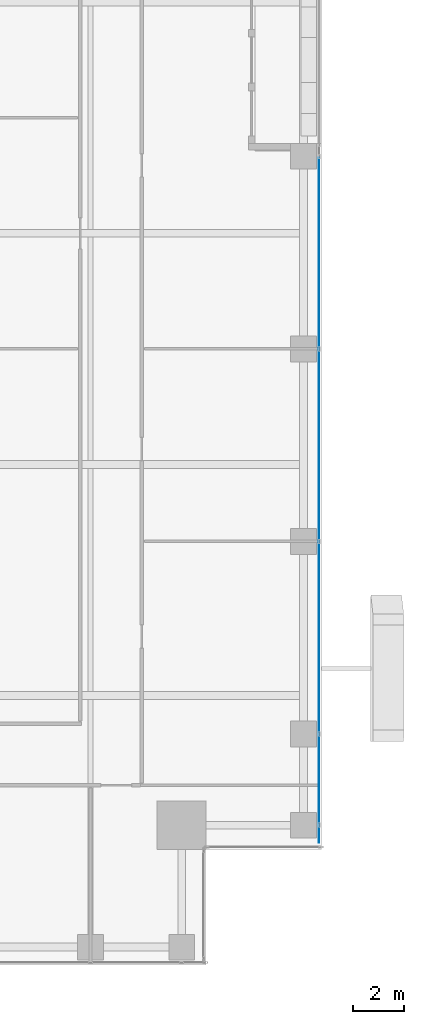
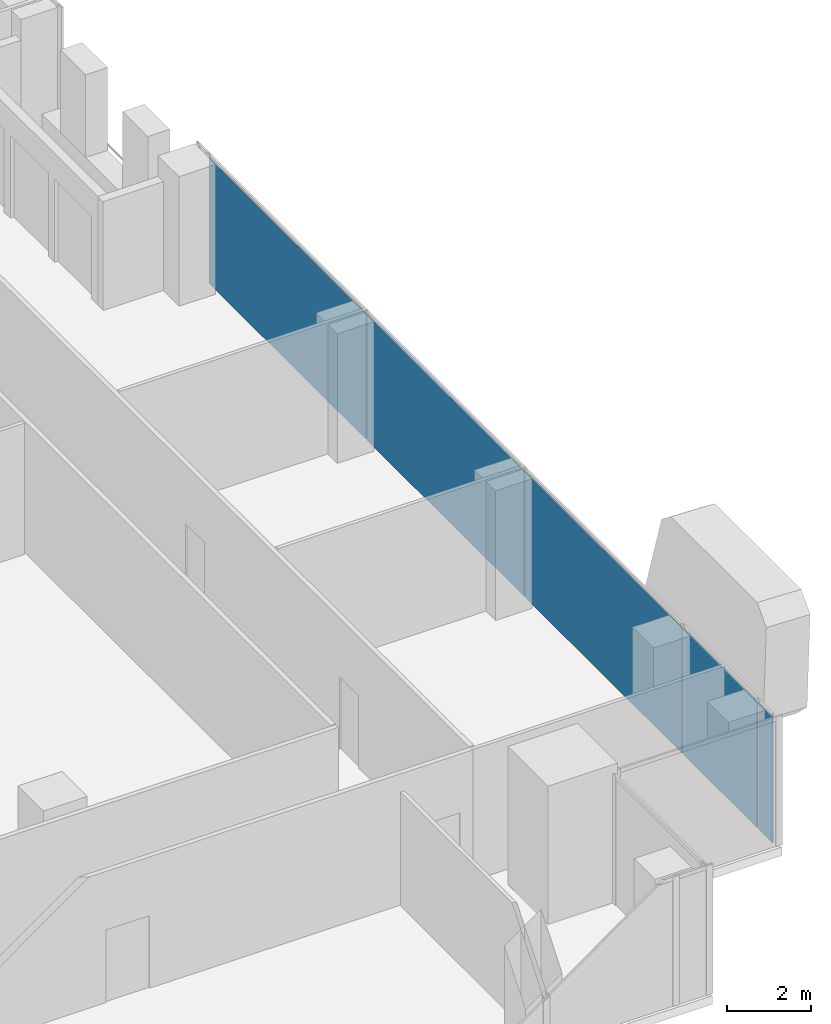
# One storey, part 29 of 38: 5 plates, 1 element without a shape of its own.
"""IFC4 building model written with IfcOpenShell, lengths in metres."""

from ifc_helpers import new_model, si_unit, direction, frame, origin, origin_2d, place, context, subcontext, project, spatial, rectangle, extrude, source, transform, mapped, material, layer, layer_set, type_object, element, aggregate, save


model = new_model("IFC4")

# Units and contexts
model_context = context("Model", 3, precision=1e-05, world=origin(), true_north=direction((0.0, 1.0)))
body_context = subcontext(model_context, "Body", "Model", "MODEL_VIEW")
ifc_project = project(units=[si_unit("LENGTHUNIT", "METRE"), si_unit("AREAUNIT", "SQUARE_METRE"), si_unit("VOLUMEUNIT", "CUBIC_METRE"), si_unit("PLANEANGLEUNIT", "RADIAN"), si_unit("MASSUNIT", "GRAM", prefix="KILO")], contexts=[model_context])

# Site, building, storey
site_placement = place(None, origin())
site = spatial("IfcSite", under=ifc_project, at=site_placement, CompositionType="ELEMENT")
building_placement = place(site_placement, origin())
building = spatial("IfcBuilding", under=site, at=building_placement, Name="Khomas Fold Tower", CompositionType="ELEMENT")
storey_placement = place(building_placement, frame((0.0, 0.0, 196.699951171875)))
storey = spatial("IfcBuildingStorey", under=building, at=storey_placement, Name="L43", CompositionType="ELEMENT", Elevation=196.699951171875)

# Curtain wall, plates
ifc_material_1 = material(Name="Aluminium framed double glazing", Category="aluminium")
curtain_wall_type = type_object("IfcCurtainWallType", Name="SK-Unitised clear-glass wall, office floors CW2", PredefinedType="NOTDEFINED", material=ifc_material_1)
curtain_wall_placement = place(storey_placement, origin())
curtain_wall = element("IfcCurtainWall", 1, at=curtain_wall_placement, inside=storey, type_object=curtain_wall_type, Name="CW2 run L43 03-0", PredefinedType="NOTDEFINED")
ifc_material_2 = material(Name="Clear double glazed unit")
ifc_layer = layer(ifc_material_2, 0.030029296875)
ifc_layer_set = layer_set([ifc_layer], Name="Clear double glazed unit")
plate_type = type_object("IfcPlateType", Name="SK-Unitised clear-glass wall, office floors glass panel CW2-P", PredefinedType="CURTAIN_PANEL", material=ifc_layer_set)
shared_shape_1 = source(origin(), body_context, "Body", "SweptSolid", [
    extrude(rectangle(XDim=0.659912109375, YDim=0.030029296875, at=origin_2d()), origin(), (0.0, 0.0, 1.0), 3.639892578125),
])
plate_1_placement = place(storey_placement, frame((50.89990234375, 8.090087890625, 0.0), z_axis=(0.0, 0.0, 1.0), x_axis=(0.0, 1.0, 0.0)))
plate_1 = element("IfcPlate", 2, at=plate_1_placement, type_object=plate_type, Name="CW2 glass panel 1", PredefinedType="CURTAIN_PANEL", context=body_context, shape_type="MappedRepresentation", body=[
    mapped(shared_shape_1, transform((0.0, 0.0, 0.0))),
])
shared_shape_2 = source(origin(), body_context, "Body", "SweptSolid", [
    extrude(rectangle(XDim=3.489990234375, YDim=0.030029296875, at=origin_2d()), origin(), (0.0, 0.0, 1.0), 3.639892578125),
])
plate_2_placement = place(storey_placement, frame((50.89990234375, 10.22509765625, 0.0), z_axis=(0.0, 0.0, 1.0), x_axis=(0.0, 1.0, 0.0)))
plate_2 = element("IfcPlate", 3, at=plate_2_placement, type_object=plate_type, Name="CW2 glass panel 2", PredefinedType="CURTAIN_PANEL", context=body_context, shape_type="MappedRepresentation", body=[
    mapped(shared_shape_2, transform((0.0, 0.0, 0.0))),
])
shared_shape_3 = source(origin(), body_context, "Body", "SweptSolid", [
    extrude(rectangle(XDim=7.43994140625, YDim=0.030029296875, at=origin_2d()), origin(), (0.0, 0.0, 1.0), 3.639892578125),
])
plate_3_placement = place(storey_placement, frame((50.89990234375, 15.75, 0.0), z_axis=(0.0, 0.0, 1.0), x_axis=(0.0, 1.0, 0.0)))
plate_3 = element("IfcPlate", 4, at=plate_3_placement, type_object=plate_type, Name="CW2 glass panel 3", PredefinedType="CURTAIN_PANEL", context=body_context, shape_type="MappedRepresentation", body=[
    mapped(shared_shape_3, transform((0.0, 0.0, 0.0))),
])
plate_4_placement = place(storey_placement, frame((50.89990234375, 23.25, 0.0), z_axis=(0.0, 0.0, 1.0), x_axis=(0.0, 1.0, 0.0)))
plate_4 = element("IfcPlate", 5, at=plate_4_placement, type_object=plate_type, Name="CW2 glass panel 4", PredefinedType="CURTAIN_PANEL", context=body_context, shape_type="MappedRepresentation", body=[
    mapped(shared_shape_3, transform((0.0, 0.0, 0.0))),
])
plate_5_placement = place(storey_placement, frame((50.89990234375, 30.75, 0.0), z_axis=(0.0, 0.0, 1.0), x_axis=(0.0, 1.0, 0.0)))
plate_5 = element("IfcPlate", 6, at=plate_5_placement, type_object=plate_type, Name="CW2 glass panel 5", PredefinedType="CURTAIN_PANEL", context=body_context, shape_type="MappedRepresentation", body=[
    mapped(shared_shape_3, transform((0.0, 0.0, 0.0))),
])
aggregate(curtain_wall, [plate_1, plate_2, plate_3, plate_4, plate_5])

save(model, "model.ifc")
